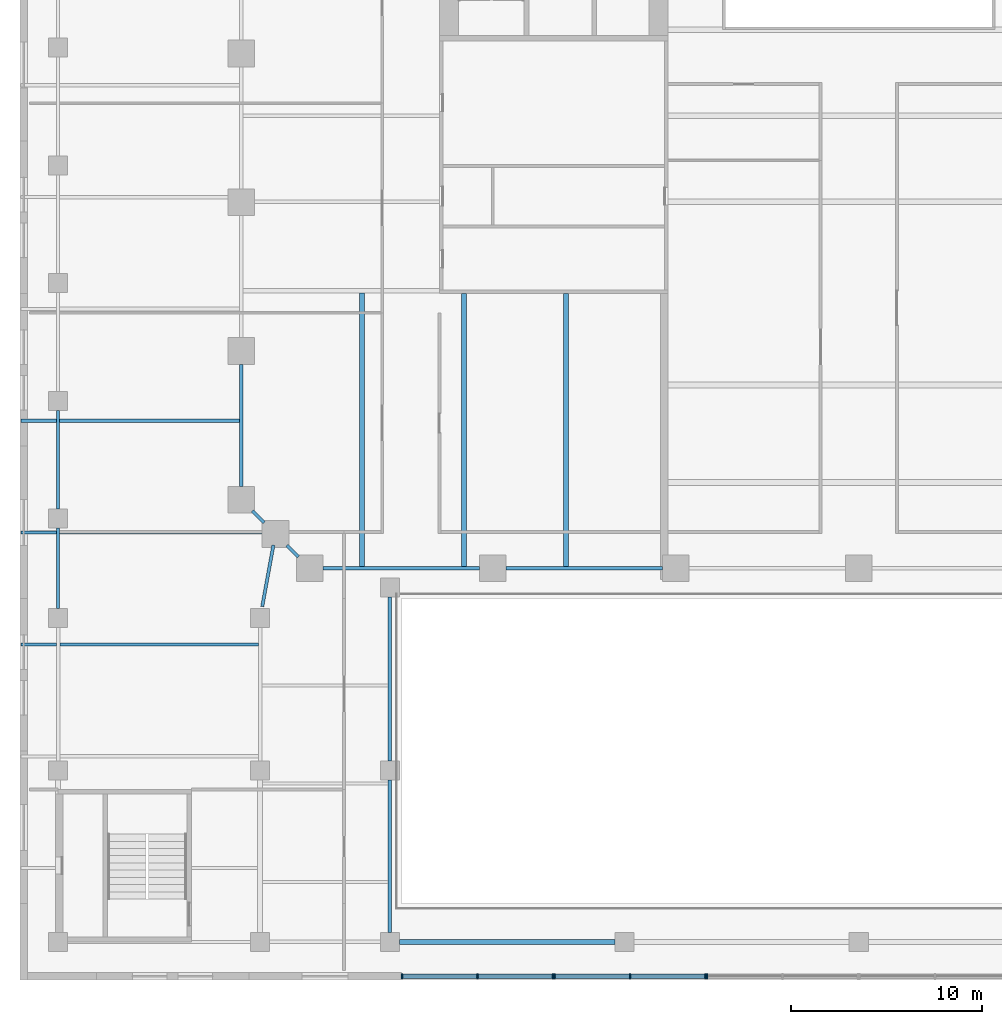
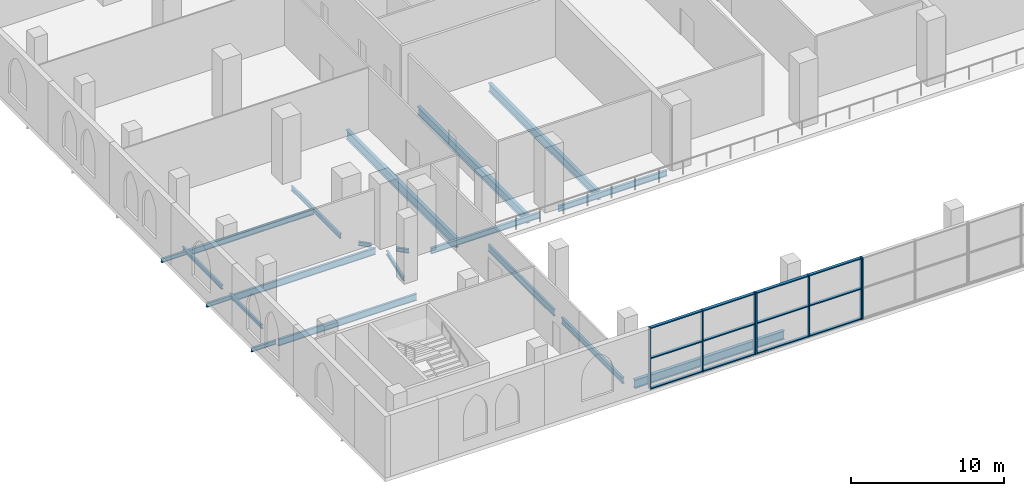
# One storey, part 2 of 22: 20 beams, 19 members, 3 elements without a shape of their own.
"""IFC4 building model written with IfcOpenShell, lengths in metres."""

import ifcopenshell
import ifcopenshell.guid

model = None  # the IFC model being written
_history = None  # IfcOwnerHistory: only IFC2X3 demands one
_inside = {}  # id of a spatial element -> (the spatial element, [elements in it])
_under = {}  # id of a project, library or spatial element -> (it, [spatial elements below it])
_declared = {}  # id of a project -> (the project, [libraries it declares])
_typed = {}  # id of a type object -> (the type object, [elements of that type])
_made_of = {}  # id of a material, layer set ... -> (it, [elements and type objects made of it])


def new_model(schema):
    """Start an empty IFC model of exactly this schema.

    Asked for "IFC4X3", IfcOpenShell would pick the latest addendum, in which some entities
    have other attributes; the version numbers below select the first issue.
    IFC2X3 requires an IfcOwnerHistory on every rooted entity: one is made here for all.
    """
    global model, _history
    if schema == "IFC4X3":
        model = ifcopenshell.file(schema_version=(4, 3, 0, 0))
    else:
        model = ifcopenshell.file(schema=schema)
    _inside.clear()
    _under.clear()
    _declared.clear()
    _typed.clear()
    _made_of.clear()
    _history = None
    if model.schema == "IFC2X3":
        org = make("IfcOrganization", Name="unknown")
        user = make(
            "IfcPersonAndOrganization",
            ThePerson=make("IfcPerson", FamilyName="unknown"),
            TheOrganization=org,
        )
        app = make(
            "IfcApplication",
            ApplicationDeveloper=org,
            Version="unknown",
            ApplicationFullName="unknown",
            ApplicationIdentifier="unknown",
        )
        _history = make(
            "IfcOwnerHistory",
            OwningUser=user,
            OwningApplication=app,
            ChangeAction="ADDED",
            CreationDate=0,
        )
    return model


def make(cls, **values):
    """One entity of the class cls with the attributes given. An attribute that is None is left unset."""
    return model.create_entity(
        cls, **{name: value for name, value in values.items() if value is not None}
    )


def rooted(cls, **values):
    """An entity with a GlobalId (a new one), such as an element, a storey or a relation."""
    return make(cls, GlobalId=ifcopenshell.guid.new(), OwnerHistory=_history, **values)


def si_unit(unit_type, name, prefix=None):
    """IfcSIUnit, for example si_unit("LENGTHUNIT", "METRE", prefix="MILLI")."""
    return make("IfcSIUnit", UnitType=unit_type, Prefix=prefix, Name=name)


def assignment(units):
    """IfcUnitAssignment: the units of a project."""
    return None if units is None else make("IfcUnitAssignment", Units=units)


def point(xyz):
    """IfcCartesianPoint."""
    return None if xyz is None else make("IfcCartesianPoint", Coordinates=xyz)


def direction(xyz):
    """IfcDirection."""
    return None if xyz is None else make("IfcDirection", DirectionRatios=xyz)


def frame(location, z_axis=None, x_axis=None):
    """IfcAxis2Placement3D, a coordinate frame: its origin and axes. An axis left out is left unset."""
    return make(
        "IfcAxis2Placement3D",
        Location=point(location),
        Axis=direction(z_axis),
        RefDirection=direction(x_axis),
    )


def frame_2d(location, x_axis=None):
    """IfcAxis2Placement2D, a coordinate frame in the plane: its origin and x axis."""
    return make(
        "IfcAxis2Placement2D", Location=point(location), RefDirection=direction(x_axis)
    )


def origin():
    """The frame at (0, 0, 0) with its axes left unset."""
    return frame((0.0, 0.0, 0.0))


def origin_2d():
    """The frame at (0, 0) in the plane with its x axis left unset."""
    return frame_2d((0.0, 0.0))


def place(relative_to, where):
    """IfcLocalPlacement: puts the frame where relative to a parent placement (None: the world)."""
    return make(
        "IfcLocalPlacement", PlacementRelTo=relative_to, RelativePlacement=where
    )


def context(
    kind, dimensions, precision=None, world=None, true_north=None, identifier=None
):
    """IfcGeometricRepresentationContext, for example the 3D "Model" context."""
    return make(
        "IfcGeometricRepresentationContext",
        ContextIdentifier=identifier,
        ContextType=kind,
        CoordinateSpaceDimension=dimensions,
        Precision=precision,
        WorldCoordinateSystem=world,
        TrueNorth=true_north,
    )


def subcontext(parent, identifier, kind, view, scale=None):
    """IfcGeometricRepresentationSubContext, for example "Body" below "Model"."""
    return make(
        "IfcGeometricRepresentationSubContext",
        ContextIdentifier=identifier,
        ContextType=kind,
        ParentContext=parent,
        TargetScale=scale,
        TargetView=view,
    )


def project(units=None, contexts=None):
    """IfcProject with its units and contexts."""
    return rooted(
        "IfcProject",
        Name="project",
        RepresentationContexts=contexts,
        UnitsInContext=assignment(units),
    )


def spatial(cls, under=None, at=None, **own):
    """A site, building, storey or space (cls), placed at a placement, below another one or the project."""
    s = rooted(cls, ObjectPlacement=at, **own)
    if under is not None:
        _under.setdefault(under.id(), (under, []))[1].append(s)
    return s


def profile(cls, at=None, kind="AREA", **sizes):
    """A parametric profile (cls). Its sizes go by their IFC names, for example OverallWidth=200.0."""
    return make(cls, ProfileType=kind, Position=at, **sizes)


def rectangle(**sizes):
    """IfcRectangleProfileDef."""
    return profile("IfcRectangleProfileDef", **sizes)


def i_section(**sizes):
    """IfcIShapeProfileDef."""
    return profile("IfcIShapeProfileDef", **sizes)


def extrude(swept, where, along, depth):
    """IfcExtrudedAreaSolid: the profile swept, set in the frame where, extruded along a direction by depth."""
    return make(
        "IfcExtrudedAreaSolid",
        SweptArea=swept,
        Position=where,
        ExtrudedDirection=direction(along),
        Depth=depth,
    )


def shape(context_of_items, identifier, shape_type, items):
    """IfcShapeRepresentation: the items that make up one representation, for example the "Body"."""
    return make(
        "IfcShapeRepresentation",
        ContextOfItems=context_of_items,
        RepresentationIdentifier=identifier,
        RepresentationType=shape_type,
        Items=items,
    )


def material(Name=None, Category=None):
    """IfcMaterial."""
    return make("IfcMaterial", Name=Name, Category=Category)


def material_profile(
    of_material, cross_section, Name=None, Category=None, Priority=None
):
    """IfcMaterialProfile: a cross section and its material."""
    return make(
        "IfcMaterialProfile",
        Name=Name,
        Material=of_material,
        Profile=cross_section,
        Priority=Priority,
        Category=Category,
    )


def profile_set(profiles, Name=None, composite=None):
    """IfcMaterialProfileSet."""
    return make(
        "IfcMaterialProfileSet",
        Name=Name,
        MaterialProfiles=profiles,
        CompositeProfile=composite,
    )


def made_of(thing, what):
    """Note that an element or type object is made of a material, layer set ...; save() writes the relation."""
    if what is not None:
        _made_of.setdefault(what.id(), (what, []))[1].append(thing)
    return thing


def type_object(cls, material=None, **own):
    """A type object (cls), such as IfcWallType, which elements share."""
    return made_of(rooted(cls, **own), material)


def element(
    cls,
    number,
    at=None,
    inside=None,
    cuts=None,
    type_object=None,
    material=None,
    context=None,
    identifier="Body",
    shape_type=None,
    held_by="IfcProductDefinitionShape",
    body=None,
    shapes=None,
    **own,
):
    """One element of the class cls, such as IfcWall. Its Tag is "e" and its number.

    at: its placement. inside: the storey or other place that contains it. cuts: it is an
    opening in that element (IfcRelVoidsElement). A single representation is given by context,
    identifier, shape_type and body (its items); several are given by shapes. held_by: the class
    of the entity that holds the representations. save() writes the other relations.
    """
    e = rooted(cls, Tag="e%d" % number, ObjectPlacement=at, **own)
    if body is not None:
        shapes = [shape(context, identifier, shape_type, body)]
    if shapes is not None:
        e.Representation = make(held_by, Representations=shapes)
    if inside is not None:
        _inside.setdefault(inside.id(), (inside, []))[1].append(e)
    if cuts is not None:
        rooted(
            "IfcRelVoidsElement", RelatingBuildingElement=cuts, RelatedOpeningElement=e
        )
    if type_object is not None:
        _typed.setdefault(type_object.id(), (type_object, []))[1].append(e)
    return made_of(e, material)


def aggregate(whole, parts):
    """IfcRelAggregates: a whole, such as a stair, and the parts it consists of."""
    return rooted("IfcRelAggregates", RelatingObject=whole, RelatedObjects=parts)


def save(model, path):
    """Write the relations noted so far, then the file.

    IfcRelAggregates (storeys below a building ...), IfcRelContainedInSpatialStructure (elements
    in a storey), IfcRelDefinesByType, IfcRelAssociatesMaterial and IfcRelDeclares: one each for
    every whole, place, type object, material and project.
    """
    for whole, parts in _under.values():
        aggregate(whole, parts)
    for where, things in _inside.values():
        rooted(
            "IfcRelContainedInSpatialStructure",
            RelatedElements=things,
            RelatingStructure=where,
        )
    for kind, things in _typed.values():
        rooted("IfcRelDefinesByType", RelatedObjects=things, RelatingType=kind)
    for what, things in _made_of.values():
        rooted("IfcRelAssociatesMaterial", RelatedObjects=things, RelatingMaterial=what)
    for by, libraries in _declared.values():
        rooted("IfcRelDeclares", RelatingContext=by, RelatedDefinitions=libraries)
    model.write(path)


model = new_model("IFC4")

# Units and contexts
model_context = context("Model", 3, precision=1e-05, world=origin(), true_north=direction((0.0, 1.0)))
body_context = subcontext(model_context, "Body", "Model", "MODEL_VIEW")
ifc_project = project(units=[si_unit("LENGTHUNIT", "METRE"), si_unit("AREAUNIT", "SQUARE_METRE"), si_unit("VOLUMEUNIT", "CUBIC_METRE"), si_unit("PLANEANGLEUNIT", "RADIAN"), si_unit("MASSUNIT", "GRAM", prefix="KILO")], contexts=[model_context])

# Site, building, storey
site_placement = place(None, origin())
site = spatial("IfcSite", under=ifc_project, at=site_placement, CompositionType="ELEMENT")
building_placement = place(site_placement, origin())
building = spatial("IfcBuilding", under=site, at=building_placement, Name="Ogive Exchange Tower", CompositionType="ELEMENT")
storey_placement = place(building_placement, frame((0.0, 0.0, 14.0)))
storey = spatial("IfcBuildingStorey", under=building, at=storey_placement, Name="L02", CompositionType="ELEMENT", Elevation=14.0)

# Beams
ifc_material_1 = material(Name="Steel ASTM A992 Gr50", Category="steel")
ifc_material_profile_1 = material_profile(ifc_material_1, i_section(OverallWidth=0.1650390625, OverallDepth=0.31005859375, WebThickness=0.005859375, FlangeThickness=0.009765625, at=origin_2d()), Name="W310x38.7")
ifc_profile_set_1 = profile_set([ifc_material_profile_1], Name="Steel ASTM A992 Gr50")
beam_type_1 = type_object("IfcBeamType", Name="Floor beam W310x38.7", PredefinedType="JOIST", material=ifc_profile_set_1)
beam_1_placement = place(storey_placement, frame((-43.949951171875, -34.39990234375, -0.455078125), z_axis=(1.0, 0.0, 0.0), x_axis=(0.0, 1.0, 0.0)))
element("IfcBeam", 1, at=beam_1_placement, inside=storey, type_object=beam_type_1, Name="Floor beam", PredefinedType="JOIST", context=body_context, shape_type="SweptSolid", body=[
    extrude(i_section(OverallWidth=0.1650390625, OverallDepth=0.31005859375, WebThickness=0.005859375, FlangeThickness=0.009765625, at=origin_2d()), origin(), (0.0, 0.0, 1.0), 1.86083984375),
])
for number, where, z_axis, x_axis, name in (
    (2, (-43.949951171875, -28.533203125, -0.455078125), (1.0, 0.0, 0.0), (0.0, 1.0, 0.0), "Floor beam"),
    (3, (-43.949951171875, -22.666748046875, -0.455078125), (1.0, 0.0, 0.0), (0.0, 1.0, 0.0), "Floor beam"),
):
    element("IfcBeam", number, at=place(storey_placement, frame(where, z_axis=z_axis, x_axis=x_axis)), inside=storey, type_object=beam_type_1, Name=name, PredefinedType="JOIST", context=body_context, shape_type="SweptSolid", body=[
        extrude(i_section(OverallWidth=0.1650390625, OverallDepth=0.31005859375, WebThickness=0.005859375, FlangeThickness=0.009765625, at=origin_2d()), origin(), (0.0, 0.0, 1.0), 1.867431640625),
    ])
ifc_material_profile_2 = material_profile(ifc_material_1, i_section(OverallWidth=0.19091796875, OverallDepth=0.45703125, WebThickness=0.009033203125, FlangeThickness=0.014404296875, at=origin_2d()), Name="W460x74")
ifc_profile_set_2 = profile_set([ifc_material_profile_2], Name="Steel ASTM A992 Gr50")
beam_type_2 = type_object("IfcBeamType", Name="Floor beam W460x74", PredefinedType="JOIST", material=ifc_profile_set_2)
beam_2_placement = place(storey_placement, frame((-41.91748046875, -22.666748046875, -0.528564453125), z_axis=(1.0, 0.0, 0.0), x_axis=(0.0, 1.0, 0.0)))
element("IfcBeam", 4, at=beam_2_placement, inside=storey, type_object=beam_type_2, Name="Floor beam", PredefinedType="JOIST", context=body_context, shape_type="SweptSolid", body=[
    extrude(i_section(OverallWidth=0.19091796875, OverallDepth=0.45703125, WebThickness=0.009033203125, FlangeThickness=0.014404296875, at=origin_2d()), origin(), (0.0, 0.0, 1.0), 9.431884765625),
])
ifc_material_profile_3 = material_profile(ifc_material_1, i_section(OverallWidth=0.1669921875, OverallDepth=0.535888671875, WebThickness=0.01025390625, FlangeThickness=0.0166015625, at=origin_2d()), Name="W530x85")
ifc_profile_set_3 = profile_set([ifc_material_profile_3], Name="Steel ASTM A992 Gr50")
beam_type_3 = type_object("IfcBeamType", Name="Floor beam W530x85", PredefinedType="JOIST", material=ifc_profile_set_3)
beam_3_placement = place(storey_placement, frame((-41.910888671875, -34.39990234375, -0.568115234375), z_axis=(1.0, 0.0, 0.0), x_axis=(0.0, 1.0, 0.0)))
element("IfcBeam", 5, at=beam_3_placement, inside=storey, type_object=beam_type_3, Name="Floor beam", PredefinedType="JOIST", context=body_context, shape_type="SweptSolid", body=[
    extrude(i_section(OverallWidth=0.1669921875, OverallDepth=0.535888671875, WebThickness=0.01025390625, FlangeThickness=0.0166015625, at=origin_2d()), origin(), (0.0, 0.0, 1.0), 10.421875),
])
beam_4_placement = place(storey_placement, frame((-41.91748046875, -28.533203125, -0.568115234375), z_axis=(1.0, 0.0, 0.0), x_axis=(0.0, 1.0, 0.0)))
element("IfcBeam", 6, at=beam_4_placement, inside=storey, type_object=beam_type_3, Name="Floor beam", PredefinedType="JOIST", context=body_context, shape_type="SweptSolid", body=[
    extrude(i_section(OverallWidth=0.1669921875, OverallDepth=0.535888671875, WebThickness=0.01025390625, FlangeThickness=0.0166015625, at=origin_2d()), origin(), (0.0, 0.0, 1.0), 10.717529296875),
])
ifc_material_profile_4 = material_profile(ifc_material_1, i_section(OverallWidth=0.25390625, OverallDepth=0.68310546875, WebThickness=0.012451171875, FlangeThickness=0.018798828125, at=origin_2d()), Name="W690x140")
ifc_profile_set_4 = profile_set([ifc_material_profile_4], Name="Steel ASTM A992 Gr50")
beam_type_4 = type_object("IfcBeamType", Name="Floor beam W690x140", PredefinedType="JOIST", material=ifc_profile_set_4)
for number, where, z_axis, x_axis, name in (
    (7, (-20.699951171875, -30.304443359375, -0.6416015625), (0.0, 1.0, 0.0), (-1.0, 0.0, 0.0), "Floor beam"),
    (8, (-15.35009765625, -30.304443359375, -0.6416015625), (0.0, 1.0, 0.0), (-1.0, 0.0, 0.0), "Floor beam"),
):
    element("IfcBeam", number, at=place(storey_placement, frame(where, z_axis=z_axis, x_axis=x_axis)), inside=storey, type_object=beam_type_4, Name=name, PredefinedType="JOIST", context=body_context, shape_type="SweptSolid", body=[
        extrude(i_section(OverallWidth=0.25390625, OverallDepth=0.68310546875, WebThickness=0.012451171875, FlangeThickness=0.018798828125, at=origin_2d()), origin(), (0.0, 0.0, 1.0), 14.304443359375),
    ])
ifc_material_profile_5 = material_profile(ifc_material_1, i_section(OverallWidth=0.26708984375, OverallDepth=0.75390625, WebThickness=0.01318359375, FlangeThickness=0.01708984375, at=origin_2d()), Name="W760x147")
ifc_profile_set_5 = profile_set([ifc_material_profile_5], Name="Steel ASTM A992 Gr50")
beam_type_5 = type_object("IfcBeamType", Name="Floor beam W760x147", PredefinedType="JOIST", material=ifc_profile_set_5)
beam_5_placement = place(storey_placement, frame((-26.050048828125, -30.304443359375, -0.677001953125), z_axis=(0.0, 1.0, 0.0), x_axis=(-1.0, 0.0, 0.0)))
element("IfcBeam", 9, at=beam_5_placement, inside=storey, type_object=beam_type_5, Name="Floor beam", PredefinedType="JOIST", context=body_context, shape_type="SweptSolid", body=[
    extrude(i_section(OverallWidth=0.26708984375, OverallDepth=0.75390625, WebThickness=0.01318359375, FlangeThickness=0.01708984375, at=origin_2d()), origin(), (0.0, 0.0, 1.0), 14.345458984375),
])

# Curtain wall, members
ifc_material_2 = material(Name="Anodised aluminium and clear glass", Category="aluminium")
curtain_wall_type = type_object("IfcCurtainWallType", Name="Galleria end wall glazing", PredefinedType="NOTDEFINED", material=ifc_material_2)
curtain_wall_1_placement = place(storey_placement, origin())
curtain_wall_1 = element("IfcCurtainWall", 10, at=curtain_wall_1_placement, inside=storey, type_object=curtain_wall_type, Name="Galleria end wall glazing run GE4", PredefinedType="NOTDEFINED")
ifc_material_3 = material(Name="Anodised aluminium", Category="aluminium")
ifc_material_profile_6 = material_profile(ifc_material_3, rectangle(XDim=0.260009765625, YDim=0.080078125, at=origin_2d()), Name="AL 80x260")
ifc_profile_set_6 = profile_set([ifc_material_profile_6], Name="Anodised aluminium")
member_type_1 = type_object("IfcMemberType", Name="Galleria end wall glazing mullion 80 x 260", PredefinedType="MULLION", material=ifc_profile_set_6)
member_1_placement = place(storey_placement, frame((-23.9599609375, -51.800048828125, 0.0), z_axis=(0.0, 0.0, 1.0), x_axis=(0.0, 1.0, 0.0)))
member_1 = element("IfcMember", 11, at=member_1_placement, type_object=member_type_1, Name="GE4 mullion 1", PredefinedType="MULLION", context=body_context, shape_type="SweptSolid", body=[
    extrude(rectangle(XDim=0.260009765625, YDim=0.080078125, at=origin_2d()), origin(), (0.0, 0.0, 1.0), 4.89990234375),
])
member_2_placement = place(storey_placement, frame((-20.0, -51.800048828125, 0.0), z_axis=(0.0, 0.0, 1.0), x_axis=(0.0, 1.0, 0.0)))
member_2 = element("IfcMember", 12, at=member_2_placement, type_object=member_type_1, Name="GE4 mullion 2", PredefinedType="MULLION", context=body_context, shape_type="SweptSolid", body=[
    extrude(rectangle(XDim=0.260009765625, YDim=0.080078125, at=origin_2d()), origin(), (0.0, 0.0, 1.0), 4.89990234375),
])
member_3_placement = place(storey_placement, frame((-16.0400390625, -51.800048828125, 0.0), z_axis=(0.0, 0.0, 1.0), x_axis=(0.0, 1.0, 0.0)))
member_3 = element("IfcMember", 13, at=member_3_placement, type_object=member_type_1, Name="GE4 mullion 3", PredefinedType="MULLION", context=body_context, shape_type="SweptSolid", body=[
    extrude(rectangle(XDim=0.260009765625, YDim=0.080078125, at=origin_2d()), origin(), (0.0, 0.0, 1.0), 4.89990234375),
])

curtain_wall_2_placement = place(storey_placement, origin())
curtain_wall_2 = element("IfcCurtainWall", 14, at=curtain_wall_2_placement, inside=storey, type_object=curtain_wall_type, Name="Galleria end wall glazing run GE5", PredefinedType="NOTDEFINED")
member_4_placement = place(storey_placement, frame((-15.9599609375, -51.800048828125, 0.0), z_axis=(0.0, 0.0, 1.0), x_axis=(0.0, 1.0, 0.0)))
member_4 = element("IfcMember", 15, at=member_4_placement, type_object=member_type_1, Name="GE5 mullion 1", PredefinedType="MULLION", context=body_context, shape_type="SweptSolid", body=[
    extrude(rectangle(XDim=0.260009765625, YDim=0.080078125, at=origin_2d()), origin(), (0.0, 0.0, 1.0), 4.89990234375),
])
member_5_placement = place(storey_placement, frame((-12.0, -51.800048828125, 0.0), z_axis=(0.0, 0.0, 1.0), x_axis=(0.0, 1.0, 0.0)))
member_5 = element("IfcMember", 16, at=member_5_placement, type_object=member_type_1, Name="GE5 mullion 2", PredefinedType="MULLION", context=body_context, shape_type="SweptSolid", body=[
    extrude(rectangle(XDim=0.260009765625, YDim=0.080078125, at=origin_2d()), origin(), (0.0, 0.0, 1.0), 4.89990234375),
])
member_6_placement = place(storey_placement, frame((-8.0400390625, -51.800048828125, 0.0), z_axis=(0.0, 0.0, 1.0), x_axis=(0.0, 1.0, 0.0)))
member_6 = element("IfcMember", 17, at=member_6_placement, type_object=member_type_1, Name="GE5 mullion 3", PredefinedType="MULLION", context=body_context, shape_type="SweptSolid", body=[
    extrude(rectangle(XDim=0.260009765625, YDim=0.080078125, at=origin_2d()), origin(), (0.0, 0.0, 1.0), 4.89990234375),
])

# Curtain wall, member
curtain_wall_3_placement = place(storey_placement, origin())
curtain_wall_3 = element("IfcCurtainWall", 18, at=curtain_wall_3_placement, inside=storey, type_object=curtain_wall_type, Name="Galleria end wall glazing run GE6", PredefinedType="NOTDEFINED")
member_7_placement = place(storey_placement, frame((-7.9599609375, -51.800048828125, 0.0), z_axis=(0.0, 0.0, 1.0), x_axis=(0.0, 1.0, 0.0)))
member_7 = element("IfcMember", 19, at=member_7_placement, type_object=member_type_1, Name="GE6 mullion 1", PredefinedType="MULLION", context=body_context, shape_type="SweptSolid", body=[
    extrude(rectangle(XDim=0.260009765625, YDim=0.080078125, at=origin_2d()), origin(), (0.0, 0.0, 1.0), 4.89990234375),
])
aggregate(curtain_wall_3, [member_7])

# Member
ifc_material_profile_7 = material_profile(ifc_material_3, rectangle(XDim=0.219970703125, YDim=0.080078125, at=origin_2d()), Name="AL 80x220")
ifc_profile_set_7 = profile_set([ifc_material_profile_7], Name="Anodised aluminium")
member_type_2 = type_object("IfcMemberType", Name="Galleria end wall glazing transom 80 x 220", PredefinedType="USERDEFINED", material=ifc_profile_set_7)
member_8_placement = place(storey_placement, frame((-23.919921875, -51.800048828125, 0.0400390625), z_axis=(1.0, 0.0, 0.0), x_axis=(0.0, 1.0, 0.0)))
member_8 = element("IfcMember", 20, at=member_8_placement, type_object=member_type_2, Name="GE4 transom 1.1", ObjectType="TRANSOM", PredefinedType="USERDEFINED", context=body_context, shape_type="SweptSolid", body=[
    extrude(rectangle(XDim=0.219970703125, YDim=0.080078125, at=origin_2d()), origin(), (0.0, 0.0, 1.0), 3.8798828125),
])

member_9_placement = place(storey_placement, frame((-23.919921875, -51.800048828125, 2.449951171875), z_axis=(1.0, 0.0, 0.0), x_axis=(0.0, 1.0, 0.0)))
member_9 = element("IfcMember", 21, at=member_9_placement, type_object=member_type_2, Name="GE4 transom 1.2", ObjectType="TRANSOM", PredefinedType="USERDEFINED", context=body_context, shape_type="SweptSolid", body=[
    extrude(rectangle(XDim=0.219970703125, YDim=0.080078125, at=origin_2d()), origin(), (0.0, 0.0, 1.0), 3.8798828125),
])

member_10_placement = place(storey_placement, frame((-23.919921875, -51.800048828125, 4.860107421875), z_axis=(1.0, 0.0, 0.0), x_axis=(0.0, 1.0, 0.0)))
member_10 = element("IfcMember", 22, at=member_10_placement, type_object=member_type_2, Name="GE4 transom 1.3", ObjectType="TRANSOM", PredefinedType="USERDEFINED", context=body_context, shape_type="SweptSolid", body=[
    extrude(rectangle(XDim=0.219970703125, YDim=0.080078125, at=origin_2d()), origin(), (0.0, 0.0, 1.0), 3.8798828125),
])

member_11_placement = place(storey_placement, frame((-19.9599609375, -51.800048828125, 0.0400390625), z_axis=(1.0, 0.0, 0.0), x_axis=(0.0, 1.0, 0.0)))
member_11 = element("IfcMember", 23, at=member_11_placement, type_object=member_type_2, Name="GE4 transom 2.1", ObjectType="TRANSOM", PredefinedType="USERDEFINED", context=body_context, shape_type="SweptSolid", body=[
    extrude(rectangle(XDim=0.219970703125, YDim=0.080078125, at=origin_2d()), origin(), (0.0, 0.0, 1.0), 3.8798828125),
])

member_12_placement = place(storey_placement, frame((-19.9599609375, -51.800048828125, 2.449951171875), z_axis=(1.0, 0.0, 0.0), x_axis=(0.0, 1.0, 0.0)))
member_12 = element("IfcMember", 24, at=member_12_placement, type_object=member_type_2, Name="GE4 transom 2.2", ObjectType="TRANSOM", PredefinedType="USERDEFINED", context=body_context, shape_type="SweptSolid", body=[
    extrude(rectangle(XDim=0.219970703125, YDim=0.080078125, at=origin_2d()), origin(), (0.0, 0.0, 1.0), 3.8798828125),
])

member_13_placement = place(storey_placement, frame((-19.9599609375, -51.800048828125, 4.860107421875), z_axis=(1.0, 0.0, 0.0), x_axis=(0.0, 1.0, 0.0)))
member_13 = element("IfcMember", 25, at=member_13_placement, type_object=member_type_2, Name="GE4 transom 2.3", ObjectType="TRANSOM", PredefinedType="USERDEFINED", context=body_context, shape_type="SweptSolid", body=[
    extrude(rectangle(XDim=0.219970703125, YDim=0.080078125, at=origin_2d()), origin(), (0.0, 0.0, 1.0), 3.8798828125),
])

aggregate(curtain_wall_1, [member_1, member_2, member_3, member_8, member_9, member_10, member_11, member_12, member_13])

member_14_placement = place(storey_placement, frame((-15.919921875, -51.800048828125, 0.0400390625), z_axis=(1.0, 0.0, 0.0), x_axis=(0.0, 1.0, 0.0)))
member_14 = element("IfcMember", 26, at=member_14_placement, type_object=member_type_2, Name="GE5 transom 1.1", ObjectType="TRANSOM", PredefinedType="USERDEFINED", context=body_context, shape_type="SweptSolid", body=[
    extrude(rectangle(XDim=0.219970703125, YDim=0.080078125, at=origin_2d()), origin(), (0.0, 0.0, 1.0), 3.8798828125),
])

member_15_placement = place(storey_placement, frame((-15.919921875, -51.800048828125, 2.449951171875), z_axis=(1.0, 0.0, 0.0), x_axis=(0.0, 1.0, 0.0)))
member_15 = element("IfcMember", 27, at=member_15_placement, type_object=member_type_2, Name="GE5 transom 1.2", ObjectType="TRANSOM", PredefinedType="USERDEFINED", context=body_context, shape_type="SweptSolid", body=[
    extrude(rectangle(XDim=0.219970703125, YDim=0.080078125, at=origin_2d()), origin(), (0.0, 0.0, 1.0), 3.8798828125),
])

member_16_placement = place(storey_placement, frame((-15.919921875, -51.800048828125, 4.860107421875), z_axis=(1.0, 0.0, 0.0), x_axis=(0.0, 1.0, 0.0)))
member_16 = element("IfcMember", 28, at=member_16_placement, type_object=member_type_2, Name="GE5 transom 1.3", ObjectType="TRANSOM", PredefinedType="USERDEFINED", context=body_context, shape_type="SweptSolid", body=[
    extrude(rectangle(XDim=0.219970703125, YDim=0.080078125, at=origin_2d()), origin(), (0.0, 0.0, 1.0), 3.8798828125),
])

member_17_placement = place(storey_placement, frame((-11.9599609375, -51.800048828125, 0.0400390625), z_axis=(1.0, 0.0, 0.0), x_axis=(0.0, 1.0, 0.0)))
member_17 = element("IfcMember", 29, at=member_17_placement, type_object=member_type_2, Name="GE5 transom 2.1", ObjectType="TRANSOM", PredefinedType="USERDEFINED", context=body_context, shape_type="SweptSolid", body=[
    extrude(rectangle(XDim=0.219970703125, YDim=0.080078125, at=origin_2d()), origin(), (0.0, 0.0, 1.0), 3.8798828125),
])

member_18_placement = place(storey_placement, frame((-11.9599609375, -51.800048828125, 2.449951171875), z_axis=(1.0, 0.0, 0.0), x_axis=(0.0, 1.0, 0.0)))
member_18 = element("IfcMember", 30, at=member_18_placement, type_object=member_type_2, Name="GE5 transom 2.2", ObjectType="TRANSOM", PredefinedType="USERDEFINED", context=body_context, shape_type="SweptSolid", body=[
    extrude(rectangle(XDim=0.219970703125, YDim=0.080078125, at=origin_2d()), origin(), (0.0, 0.0, 1.0), 3.8798828125),
])

member_19_placement = place(storey_placement, frame((-11.9599609375, -51.800048828125, 4.860107421875), z_axis=(1.0, 0.0, 0.0), x_axis=(0.0, 1.0, 0.0)))
member_19 = element("IfcMember", 31, at=member_19_placement, type_object=member_type_2, Name="GE5 transom 2.3", ObjectType="TRANSOM", PredefinedType="USERDEFINED", context=body_context, shape_type="SweptSolid", body=[
    extrude(rectangle(XDim=0.219970703125, YDim=0.080078125, at=origin_2d()), origin(), (0.0, 0.0, 1.0), 3.8798828125),
])

aggregate(curtain_wall_2, [member_4, member_5, member_6, member_14, member_15, member_16, member_17, member_18, member_19])

# Beams
ifc_material_profile_8 = material_profile(ifc_material_1, i_section(OverallWidth=0.1650390625, OverallDepth=0.31005859375, WebThickness=0.005859375, FlangeThickness=0.009765625, at=origin_2d()), Name="W310x38.7")
ifc_profile_set_8 = profile_set([ifc_material_profile_8], Name="Steel ASTM A992 Gr50")
beam_type_6 = type_object("IfcBeamType", Name="Girder W310x38.7", PredefinedType="BEAM", material=ifc_profile_set_8)
for number, where, z_axis, x_axis, name in (
    (32, (-31.805908203125, -27.39404296875, -0.455078125), (0.706965712506, -0.707247821729, 0.0), (0.707247821729, 0.706965712506, 0.0), "Girder"),
    (33, (-30.006103515625, -29.194091796875, -0.455078125), (0.707247821729, -0.706965712506, 0.0), (0.706965712506, 0.707247821729, 0.0), "Girder"),
):
    element("IfcBeam", number, at=place(storey_placement, frame(where, z_axis=z_axis, x_axis=x_axis)), inside=storey, type_object=beam_type_6, Name=name, PredefinedType="BEAM", context=body_context, shape_type="SweptSolid", body=[
        extrude(i_section(OverallWidth=0.1650390625, OverallDepth=0.31005859375, WebThickness=0.005859375, FlangeThickness=0.009765625, at=origin_2d()), origin(), (0.0, 0.0, 1.0), 0.865478515625),
    ])
beam_6_placement = place(storey_placement, frame((-31.292724609375, -32.40966796875, -0.455078125), z_axis=(0.178911700404, 0.983865134792, 0.0), x_axis=(-0.983865134792, 0.178911700404, 0.0)))
element("IfcBeam", 34, at=beam_6_placement, inside=storey, type_object=beam_type_6, Name="Girder", PredefinedType="BEAM", context=body_context, shape_type="SweptSolid", body=[
    extrude(i_section(OverallWidth=0.1650390625, OverallDepth=0.31005859375, WebThickness=0.005859375, FlangeThickness=0.009765625, at=origin_2d()), origin(), (0.0, 0.0, 1.0), 3.272216796875),
])
beam_7_placement = place(storey_placement, frame((-42.0, -32.5, -0.455078125), z_axis=(0.0, 1.0, 0.0), x_axis=(-1.0, 0.0, 0.0)))
element("IfcBeam", 35, at=beam_7_placement, inside=storey, type_object=beam_type_6, Name="Girder", PredefinedType="BEAM", context=body_context, shape_type="SweptSolid", body=[
    extrude(i_section(OverallWidth=0.1650390625, OverallDepth=0.31005859375, WebThickness=0.005859375, FlangeThickness=0.009765625, at=origin_2d()), origin(), (0.0, 0.0, 1.0), 4.199951171875),
])
beam_8_placement = place(storey_placement, frame((-42.0, -27.300048828125, -0.455078125), z_axis=(0.0, 1.0, 0.0), x_axis=(-1.0, 0.0, 0.0)))
element("IfcBeam", 36, at=beam_8_placement, inside=storey, type_object=beam_type_6, Name="Girder", PredefinedType="BEAM", context=body_context, shape_type="SweptSolid", body=[
    extrude(i_section(OverallWidth=0.1650390625, OverallDepth=0.31005859375, WebThickness=0.005859375, FlangeThickness=0.009765625, at=origin_2d()), origin(), (0.0, 0.0, 1.0), 5.179931640625),
])
ifc_material_profile_9 = material_profile(ifc_material_1, i_section(OverallWidth=0.1708984375, OverallDepth=0.35595703125, WebThickness=0.00732421875, FlangeThickness=0.01171875, at=origin_2d()), Name="W360x51")
ifc_profile_set_9 = profile_set([ifc_material_profile_9], Name="Steel ASTM A992 Gr50")
beam_type_7 = type_object("IfcBeamType", Name="Girder W360x51", PredefinedType="BEAM", material=ifc_profile_set_9)
beam_9_placement = place(storey_placement, frame((-32.39990234375, -19.699951171875, -0.47802734375), z_axis=(0.0, -1.0, 0.0), x_axis=(1.0, 0.0, 0.0)))
element("IfcBeam", 37, at=beam_9_placement, inside=storey, type_object=beam_type_7, Name="Girder", PredefinedType="BEAM", context=body_context, shape_type="SweptSolid", body=[
    extrude(i_section(OverallWidth=0.1708984375, OverallDepth=0.35595703125, WebThickness=0.00732421875, FlangeThickness=0.01171875, at=origin_2d()), origin(), (0.0, 0.0, 1.0), 6.400146484375),
])
ifc_material_profile_10 = material_profile(ifc_material_1, i_section(OverallWidth=0.19091796875, OverallDepth=0.45703125, WebThickness=0.009033203125, FlangeThickness=0.014404296875, at=origin_2d()), Name="W460x74")
ifc_profile_set_10 = profile_set([ifc_material_profile_10], Name="Steel ASTM A992 Gr50")
beam_type_8 = type_object("IfcBeamType", Name="Girder W460x74", PredefinedType="BEAM", material=ifc_profile_set_10)
beam_10_placement = place(storey_placement, frame((-28.10009765625, -30.39990234375, -0.528564453125), z_axis=(1.0, 0.0, 0.0), x_axis=(0.0, 1.0, 0.0)))
element("IfcBeam", 38, at=beam_10_placement, inside=storey, type_object=beam_type_8, Name="Girder", PredefinedType="BEAM", context=body_context, shape_type="SweptSolid", body=[
    extrude(i_section(OverallWidth=0.19091796875, OverallDepth=0.45703125, WebThickness=0.009033203125, FlangeThickness=0.014404296875, at=origin_2d()), origin(), (0.0, 0.0, 1.0), 8.2001953125),
])
beam_11_placement = place(storey_placement, frame((-18.5, -30.39990234375, -0.528564453125), z_axis=(1.0, 0.0, 0.0), x_axis=(0.0, 1.0, 0.0)))
element("IfcBeam", 39, at=beam_11_placement, inside=storey, type_object=beam_type_8, Name="Girder", PredefinedType="BEAM", context=body_context, shape_type="SweptSolid", body=[
    extrude(i_section(OverallWidth=0.19091796875, OverallDepth=0.45703125, WebThickness=0.009033203125, FlangeThickness=0.014404296875, at=origin_2d()), origin(), (0.0, 0.0, 1.0), 8.199951171875),
])
beam_12_placement = place(storey_placement, frame((-24.60009765625, -49.5, -0.528564453125), z_axis=(0.0, 1.0, 0.0), x_axis=(-1.0, 0.0, 0.0)))
element("IfcBeam", 40, at=beam_12_placement, inside=storey, type_object=beam_type_8, Name="Girder", PredefinedType="BEAM", context=body_context, shape_type="SweptSolid", body=[
    extrude(i_section(OverallWidth=0.19091796875, OverallDepth=0.45703125, WebThickness=0.009033203125, FlangeThickness=0.014404296875, at=origin_2d()), origin(), (0.0, 0.0, 1.0), 8.0),
])
ifc_material_profile_11 = material_profile(ifc_material_1, i_section(OverallWidth=0.1669921875, OverallDepth=0.535888671875, WebThickness=0.01025390625, FlangeThickness=0.0166015625, at=origin_2d()), Name="W530x85")
ifc_profile_set_11 = profile_set([ifc_material_profile_11], Name="Steel ASTM A992 Gr50")
beam_type_9 = type_object("IfcBeamType", Name="Girder W530x85", PredefinedType="BEAM", material=ifc_profile_set_11)
beam_13_placement = place(storey_placement, frame((-24.60009765625, -40.5, -0.568115234375), z_axis=(0.0, 1.0, 0.0), x_axis=(-1.0, 0.0, 0.0)))
element("IfcBeam", 41, at=beam_13_placement, inside=storey, type_object=beam_type_9, Name="Girder", PredefinedType="BEAM", context=body_context, shape_type="SweptSolid", body=[
    extrude(i_section(OverallWidth=0.1669921875, OverallDepth=0.535888671875, WebThickness=0.01025390625, FlangeThickness=0.0166015625, at=origin_2d()), origin(), (0.0, 0.0, 1.0), 8.60009765625),
])
ifc_material_profile_12 = material_profile(ifc_material_1, i_section(OverallWidth=0.25390625, OverallDepth=0.677978515625, WebThickness=0.01171875, FlangeThickness=0.016357421875, at=origin_2d()), Name="W690x125")
ifc_profile_set_12 = profile_set([ifc_material_profile_12], Name="Steel ASTM A992 Gr50")
beam_type_10 = type_object("IfcBeamType", Name="Girder W690x125", PredefinedType="BEAM", material=ifc_profile_set_12)
beam_14_placement = place(storey_placement, frame((-24.10009765625, -50.0, -0.638916015625), z_axis=(1.0, 0.0, 0.0), x_axis=(0.0, 1.0, 0.0)))
element("IfcBeam", 42, at=beam_14_placement, inside=storey, type_object=beam_type_10, Name="Girder", PredefinedType="BEAM", context=body_context, shape_type="SweptSolid", body=[
    extrude(i_section(OverallWidth=0.25390625, OverallDepth=0.677978515625, WebThickness=0.01171875, FlangeThickness=0.016357421875, at=origin_2d()), origin(), (0.0, 0.0, 1.0), 11.300048828125),
])

save(model, "model.ifc")
